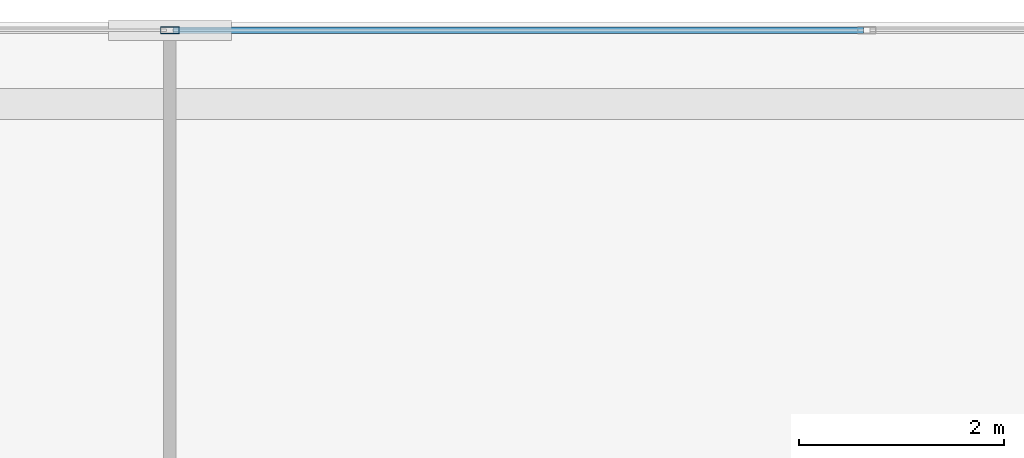
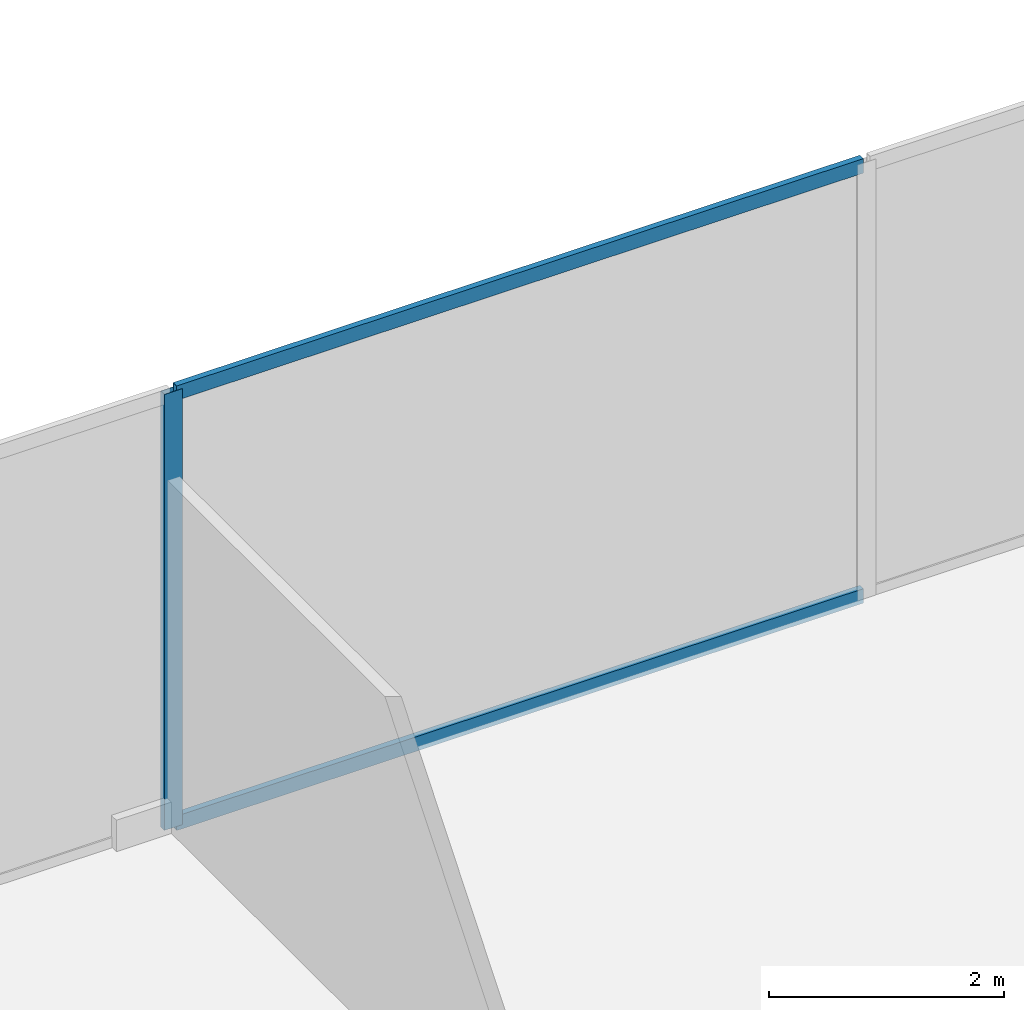
# One storey, part 24 of 40: 3 members, 1 element without a shape of its own.
"""IFC4 building model written with IfcOpenShell, lengths in metres."""

from ifc_helpers import new_model, si_unit, direction, frame, origin, origin_2d, place, context, subcontext, project, spatial, hollow_rectangle, extrude, source, transform, mapped, material, layer, layer_set, material_profile, profile_set, type_object, element, aggregate, save


model = new_model("IFC4")

# Units and contexts
model_context = context("Model", 3, precision=1e-05, world=origin(), true_north=direction((0.0, 1.0)))
body_context = subcontext(model_context, "Body", "Model", "MODEL_VIEW")
ifc_project = project(units=[si_unit("LENGTHUNIT", "METRE"), si_unit("AREAUNIT", "SQUARE_METRE"), si_unit("VOLUMEUNIT", "CUBIC_METRE"), si_unit("PLANEANGLEUNIT", "RADIAN"), si_unit("MASSUNIT", "GRAM", prefix="KILO"), si_unit("THERMODYNAMICTEMPERATUREUNIT", "KELVIN"), si_unit("POWERUNIT", "WATT")], contexts=[model_context])

# Site, building, storey
site_placement = place(None, origin())
site = spatial("IfcSite", under=ifc_project, at=site_placement, CompositionType="ELEMENT")
building_placement = place(site_placement, origin())
building = spatial("IfcBuilding", under=site, at=building_placement, Name="Yunzhuo Pagoda Commons", CompositionType="ELEMENT")
storey_placement = place(building_placement, frame((0.0, 0.0, 14.39990234375)))
storey = spatial("IfcBuildingStorey", under=building, at=storey_placement, Name="L04", CompositionType="ELEMENT", Elevation=14.39990234375)

# Curtain wall, members
ifc_material = material(Name="Anodized aluminium 6063-T6", Category="aluminium")
ifc_layer = layer(ifc_material, 0.179931640625)
ifc_layer_set = layer_set([ifc_layer], Name="Anodized aluminium 6063-T6")
curtain_wall_type = type_object("IfcCurtainWallType", Name="CW-POD Waterfront Podium Curtain Wall", PredefinedType="NOTDEFINED", material=ifc_layer_set)
curtain_wall_placement = place(storey_placement, origin())
curtain_wall = element("IfcCurtainWall", 1, at=curtain_wall_placement, inside=storey, type_object=curtain_wall_type, Name="L04 curtain wall CW-L04-N3", PredefinedType="NOTDEFINED")
ifc_material_profile_1 = material_profile(ifc_material, hollow_rectangle(XDim=0.06494140625, YDim=0.179931640625, WallThickness=0.00390625, at=origin_2d()), Name="Anodized aluminium 6063-T6")
ifc_profile_set_1 = profile_set([ifc_material_profile_1], Name="Anodized aluminium 6063-T6")
member_type_1 = type_object("IfcMemberType", Name="CW-POD-M Mullion RHS 180x65x4", PredefinedType="MULLION", material=ifc_profile_set_1)
shared_shape_1 = source(origin(), body_context, "Body", "SweptSolid", [
    extrude(hollow_rectangle(XDim=0.06494140625, YDim=0.179931640625, WallThickness=0.00390625, at=origin_2d()), origin(), (0.0, 0.0, 1.0), 4.52001953125),
])
member_1_placement = place(storey_placement, frame((48.0, 81.919921875, 0.0), z_axis=(0.0, 0.0, 1.0), x_axis=(0.0, 1.0, 0.0)))
member_1 = element("IfcMember", 2, at=member_1_placement, type_object=member_type_1, Name="CW mullion 3", PredefinedType="MULLION", context=body_context, shape_type="MappedRepresentation", body=[
    mapped(shared_shape_1, transform((0.0, 0.0, 0.0), scale=1.0)),
])
ifc_material_profile_2 = material_profile(ifc_material, hollow_rectangle(XDim=0.06005859375, YDim=0.14990234375, WallThickness=0.00390625, at=origin_2d()), Name="Anodized aluminium 6063-T6")
ifc_profile_set_2 = profile_set([ifc_material_profile_2], Name="Anodized aluminium 6063-T6")
member_type_2 = type_object("IfcMemberType", Name="CW-POD-T Transom RHS 150x60x4", PredefinedType="USERDEFINED", material=ifc_profile_set_2)
shared_shape_2 = source(origin(), body_context, "Body", "SweptSolid", [
    extrude(hollow_rectangle(XDim=0.06005859375, YDim=0.14990234375, WallThickness=0.00390625, at=origin_2d()), origin(), (0.0, 0.0, 1.0), 6.735107421875),
])
member_2_placement = place(storey_placement, frame((48.032470703125, 81.919921875, 0.030029296875), z_axis=(1.0, 0.0, 0.0), x_axis=(0.0, 1.0, 0.0)))
member_2 = element("IfcMember", 3, at=member_2_placement, type_object=member_type_2, Name="CW transom 3.1", ObjectType="TRANSOM", PredefinedType="USERDEFINED", context=body_context, shape_type="MappedRepresentation", body=[
    mapped(shared_shape_2, transform((0.0, 0.0, 0.0), scale=1.0)),
])
member_3_placement = place(storey_placement, frame((48.032470703125, 81.919921875, 4.489990234375), z_axis=(1.0, 0.0, 0.0), x_axis=(0.0, 1.0, 0.0)))
member_3 = element("IfcMember", 4, at=member_3_placement, type_object=member_type_2, Name="CW transom 3.2", ObjectType="TRANSOM", PredefinedType="USERDEFINED", context=body_context, shape_type="MappedRepresentation", body=[
    mapped(shared_shape_2, transform((0.0, 0.0, 0.0), scale=1.0)),
])
aggregate(curtain_wall, [member_1, member_2, member_3])

save(model, "model.ifc")
